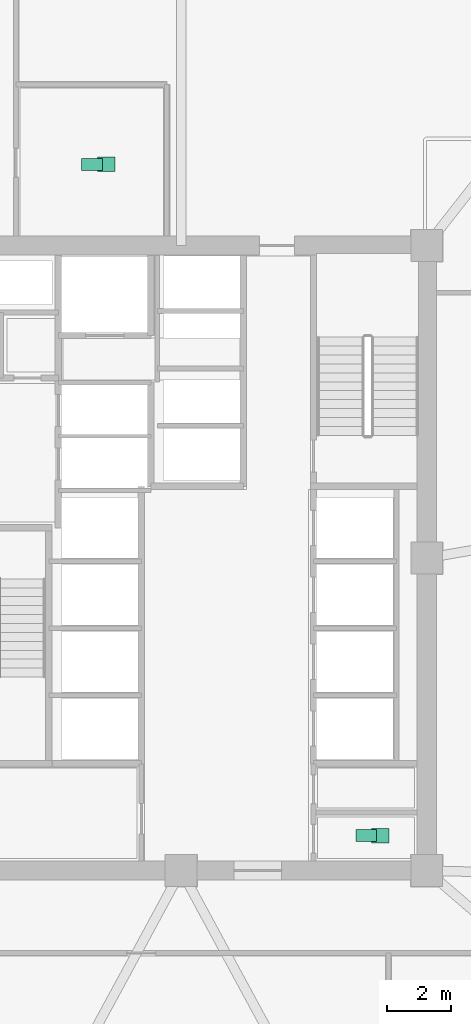
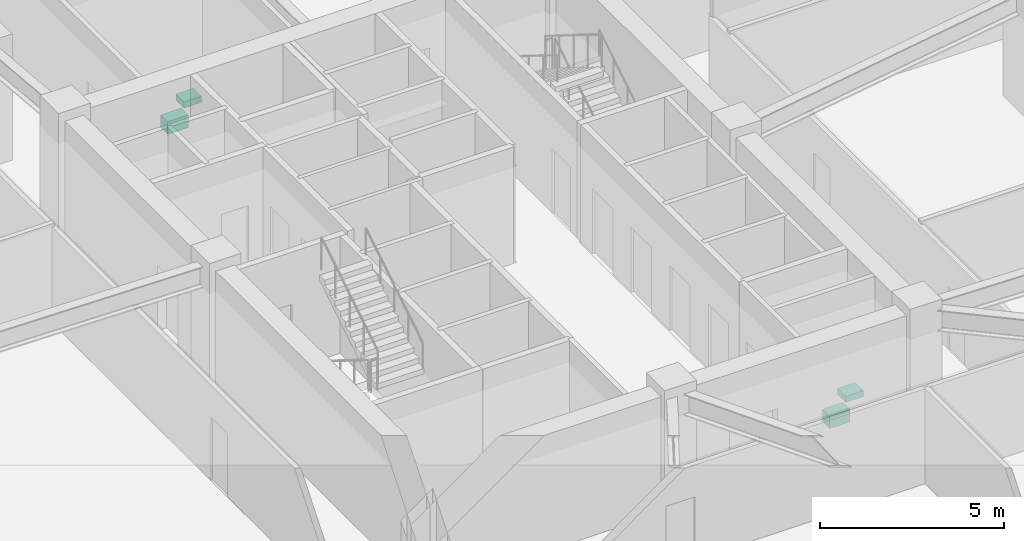
# One storey, part 22 of 22: 4 sanitary terminals.
"""IFC4 building model written with IfcOpenShell, lengths in metres."""

from ifc_helpers import new_model, si_unit, direction, frame, origin, origin_2d, place, context, subcontext, project, spatial, rectangle, extrude, material, type_object, element, save


model = new_model("IFC4")

# Units and contexts
model_context = context("Model", 3, precision=1e-05, world=origin(), true_north=direction((0.0, 1.0)))
body_context = subcontext(model_context, "Body", "Model", "MODEL_VIEW")
ifc_project = project(units=[si_unit("LENGTHUNIT", "METRE"), si_unit("AREAUNIT", "SQUARE_METRE"), si_unit("VOLUMEUNIT", "CUBIC_METRE"), si_unit("PLANEANGLEUNIT", "RADIAN"), si_unit("MASSUNIT", "GRAM", prefix="KILO")], contexts=[model_context])

# Site, building, storey
site_placement = place(None, origin())
site = spatial("IfcSite", under=ifc_project, at=site_placement, CompositionType="ELEMENT")
building_placement = place(site_placement, origin())
building = spatial("IfcBuilding", under=site, at=building_placement, Name="Savorim Split Tower", CompositionType="ELEMENT")
storey_placement = place(building_placement, frame((0.0, 0.0, 17.60009765625)))
storey = spatial("IfcBuildingStorey", under=building, at=storey_placement, Name="L04", CompositionType="ELEMENT", Elevation=17.60009765625)

# Sanitary terminals
ifc_material = material(Name="Vitreous China Sanitaryware")
sanitary_terminal_type_1 = type_object("IfcSanitaryTerminalType", Name="SAN-WC-PAN", PredefinedType="TOILETPAN", material=ifc_material)
for number, where, z_axis, x_axis, name in (
    (1, (5.800048828125, -8.304931640625, 0.0), (0.0, 0.0, 1.0), (1.0, 0.0, 0.0), "L04 Accessible WC WC Pan"),
    (2, (-2.800048828125, 12.75, 0.0), (0.0, 0.0, 1.0), (1.0, 0.0, 0.0), "L04 Public WC WC Pan"),
):
    element("IfcSanitaryTerminal", number, at=place(storey_placement, frame(where, z_axis=z_axis, x_axis=x_axis)), inside=storey, type_object=sanitary_terminal_type_1, Name=name, PredefinedType="TOILETPAN", context=body_context, shape_type="SweptSolid", body=[
        extrude(rectangle(XDim=0.64990234375, YDim=0.3798828125, at=origin_2d()), origin(), (0.0, 0.0, 1.0), 0.419921875),
    ])
sanitary_terminal_type_2 = type_object("IfcSanitaryTerminalType", Name="SAN-WHB-550", PredefinedType="WASHHANDBASIN", material=ifc_material)
for number, where, z_axis, x_axis, name in (
    (3, (6.25, -8.304931640625, 0.7197265625), (0.0, 0.0, 1.0), (1.0, 0.0, 0.0), "L04 Accessible WC Washhand Basin"),
    (4, (-2.35009765625, 12.75, 0.7197265625), (0.0, 0.0, 1.0), (1.0, 0.0, 0.0), "L04 Public WC Washhand Basin"),
):
    element("IfcSanitaryTerminal", number, at=place(storey_placement, frame(where, z_axis=z_axis, x_axis=x_axis)), inside=storey, type_object=sanitary_terminal_type_2, Name=name, PredefinedType="WASHHANDBASIN", context=body_context, shape_type="SweptSolid", body=[
        extrude(rectangle(XDim=0.550048828125, YDim=0.449951171875, at=origin_2d()), origin(), (0.0, 0.0, 1.0), 0.199951171875),
    ])

save(model, "model.ifc")
